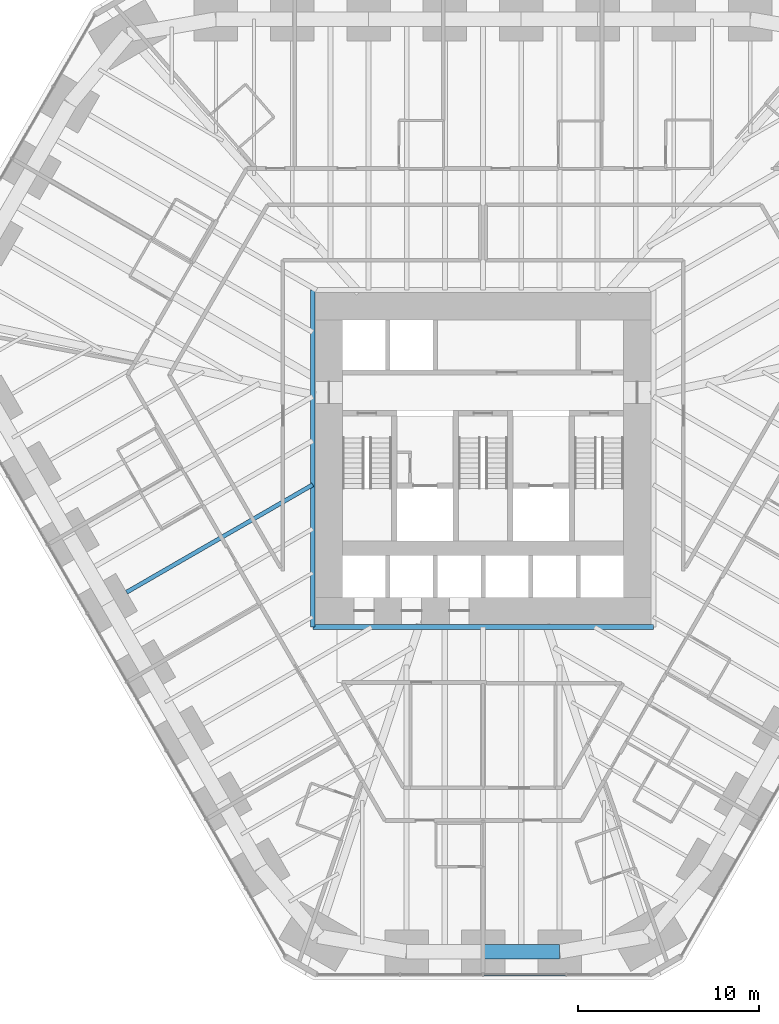
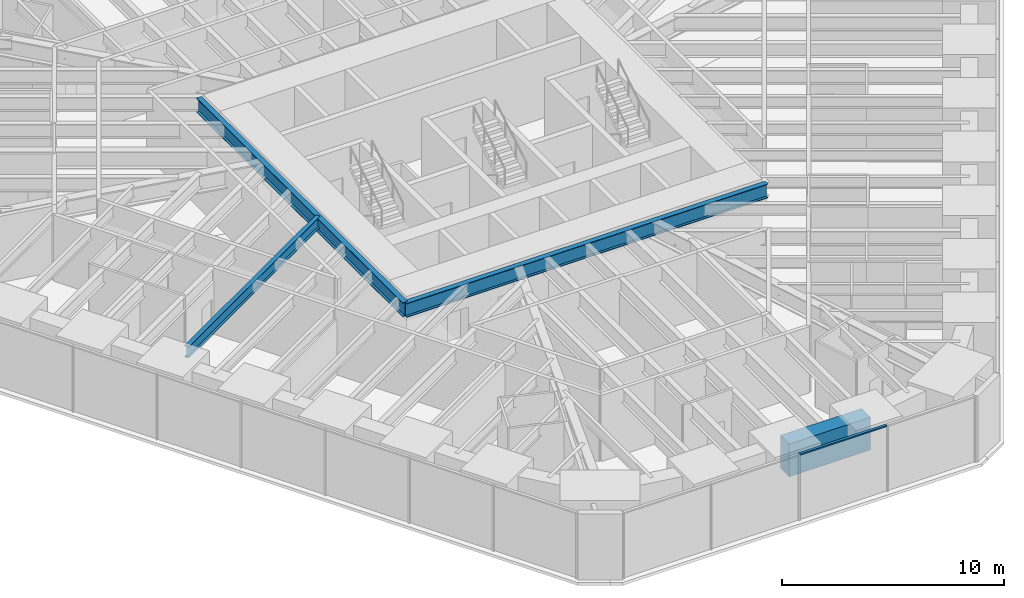
# One storey, part 4 of 17: 4 beams, 1 member, 1 element without a shape of its own.
"""IFC4 building model written with IfcOpenShell, lengths in metres."""

from ifc_helpers import new_model, si_unit, direction, frame, origin, origin_2d, place, context, subcontext, project, spatial, rectangle, i_section, extrude, material, material_profile, profile_set, type_object, element, aggregate, save


model = new_model("IFC4")

# Units and contexts
model_context = context("Model", 3, precision=1e-05, world=origin(), true_north=direction((0.0, 1.0)))
body_context = subcontext(model_context, "Body", "Model", "MODEL_VIEW")
ifc_project = project(units=[si_unit("LENGTHUNIT", "METRE"), si_unit("AREAUNIT", "SQUARE_METRE"), si_unit("VOLUMEUNIT", "CUBIC_METRE"), si_unit("PLANEANGLEUNIT", "RADIAN"), si_unit("MASSUNIT", "GRAM", prefix="KILO")], contexts=[model_context])

# Site, building, storey
site_placement = place(None, origin())
site = spatial("IfcSite", under=ifc_project, at=site_placement, CompositionType="ELEMENT")
building_placement = place(site_placement, origin())
building = spatial("IfcBuilding", under=site, at=building_placement, Name="Sandreach Pilgrim Tower", CompositionType="ELEMENT")
storey_placement = place(building_placement, frame((0.0, 0.0, 38.199951171875)))
storey = spatial("IfcBuildingStorey", under=building, at=storey_placement, Name="L08", CompositionType="ELEMENT", Elevation=38.199951171875)

# Curtain wall, member
ifc_material_1 = material(Name="Aluminium framed curtain wall", Category="aluminium")
curtain_wall_type = type_object("IfcCurtainWallType", Name="Hostel tower curtain wall", PredefinedType="NOTDEFINED", material=ifc_material_1)
curtain_wall_placement = place(storey_placement, origin())
curtain_wall = element("IfcCurtainWall", 1, at=curtain_wall_placement, inside=storey, type_object=curtain_wall_type, Name="CW-1 L08 S", PredefinedType="NOTDEFINED")
ifc_material_2 = material(Name="Aluminium extrusion", Category="aluminium")
ifc_material_profile_1 = material_profile(ifc_material_2, rectangle(XDim=0.139892578125, YDim=0.070068359375, at=origin_2d()), Name="CW-1T 140X70")
ifc_profile_set_1 = profile_set([ifc_material_profile_1], Name="Aluminium extrusion")
member_type = type_object("IfcMemberType", Name="CW-1 transom", PredefinedType="USERDEFINED", material=ifc_profile_set_1)
member_placement = place(storey_placement, frame((4.553466796875, -30.010986328125, 3.60498046875), z_axis=(-1.0, 0.0, 0.0), x_axis=(0.0, -1.0, 0.0)))
member = element("IfcMember", 2, at=member_placement, type_object=member_type, Name="CW-1 head transom 2", ObjectType="TRANSOM", PredefinedType="USERDEFINED", context=body_context, shape_type="SweptSolid", body=[
    extrude(rectangle(XDim=0.139892578125, YDim=0.070068359375, at=origin_2d()), origin(), (0.0, 0.0, 1.0), 4.52099609375),
])
aggregate(curtain_wall, [member])

# Beams
ifc_material_3 = material(Name="Steel ASTM A992 Grade 50", Category="steel")
ifc_material_profile_2 = material_profile(ifc_material_3, i_section(OverallWidth=0.2666015625, OverallDepth=0.77978515625, WebThickness=0.0166015625, FlangeThickness=0.030029296875, at=origin_2d()), Name="W30X148")
ifc_profile_set_2 = profile_set([ifc_material_profile_2], Name="Steel ASTM A992 Grade 50")
beam_type_1 = type_object("IfcBeamType", Name="Core edge beam W30X148", PredefinedType="BEAM", material=ifc_profile_set_2)
beam_1_placement = place(storey_placement, frame((9.393310546875, -10.84326171875, 3.250244140625), z_axis=(-1.0, 0.0, 0.0), x_axis=(0.0, -1.0, 0.0)))
element("IfcBeam", 3, at=beam_1_placement, inside=storey, type_object=beam_type_1, Name="BM L08 CES", PredefinedType="BEAM", context=body_context, shape_type="SweptSolid", body=[
    extrude(i_section(OverallWidth=0.2666015625, OverallDepth=0.77978515625, WebThickness=0.0166015625, FlangeThickness=0.030029296875, at=origin_2d()), origin(), (0.0, 0.0, 1.0), 18.78662109375),
])
beam_2_placement = place(storey_placement, frame((-9.393310546875, -10.84326171875, 3.250244140625), z_axis=(0.0, 1.0, 0.0), x_axis=(-1.0, 0.0, 0.0)))
element("IfcBeam", 4, at=beam_2_placement, inside=storey, type_object=beam_type_1, Name="BM L08 CEW", PredefinedType="BEAM", context=body_context, shape_type="SweptSolid", body=[
    extrude(i_section(OverallWidth=0.2666015625, OverallDepth=0.77978515625, WebThickness=0.0166015625, FlangeThickness=0.030029296875, at=origin_2d()), origin(), (0.0, 0.0, 1.0), 18.586669921875),
])
ifc_material_4 = material(Name="Steel ASTM A992 Grade 50", Category="steel")
ifc_material_profile_3 = material_profile(ifc_material_4, i_section(OverallWidth=0.23046875, OverallDepth=0.6171875, WebThickness=0.01318359375, FlangeThickness=0.022216796875, at=origin_2d()), Name="W24X94")
ifc_profile_set_3 = profile_set([ifc_material_profile_3], Name="Steel ASTM A992 Grade 50")
beam_type_2 = type_object("IfcBeamType", Name="Floor beam W24X94", PredefinedType="BEAM", material=ifc_profile_set_3)
beam_3_placement = place(storey_placement, frame((-19.662353515625, -8.92138671875, 3.33154296875), z_axis=(0.866029924088, 0.499992170523, 0.0), x_axis=(-0.499992170523, 0.866029924088, 0.0)))
element("IfcBeam", 5, at=beam_3_placement, inside=storey, type_object=beam_type_2, Name="BM L08 F31", PredefinedType="BEAM", context=body_context, shape_type="SweptSolid", body=[
    extrude(i_section(OverallWidth=0.23046875, OverallDepth=0.6171875, WebThickness=0.01318359375, FlangeThickness=0.022216796875, at=origin_2d()), origin(), (0.0, 0.0, 1.0), 11.857666015625),
])
ifc_material_5 = material(Name="Concrete 10000 psi", Category="concrete")
ifc_material_profile_4 = material_profile(ifc_material_5, rectangle(XDim=0.800048828125, YDim=1.800048828125, at=origin_2d()), Name="RC800X1800")
ifc_profile_set_4 = profile_set([ifc_material_profile_4], Name="Concrete 10000 psi")
beam_type_3 = type_object("IfcBeamType", Name="Spandrel beam RC800X1800", PredefinedType="SPANDREL", material=ifc_profile_set_4)
beam_4_placement = place(storey_placement, frame((4.222412109375, -28.7509765625, 2.739990234375), z_axis=(-1.0, 0.0, 0.0), x_axis=(0.0, -1.0, 0.0)))
element("IfcBeam", 6, at=beam_4_placement, inside=storey, type_object=beam_type_3, Name="BM L08 SP23", PredefinedType="SPANDREL", context=body_context, shape_type="SweptSolid", body=[
    extrude(rectangle(XDim=0.800048828125, YDim=1.800048828125, at=origin_2d()), origin(), (0.0, 0.0, 1.0), 4.222412109375),
])

save(model, "model.ifc")
